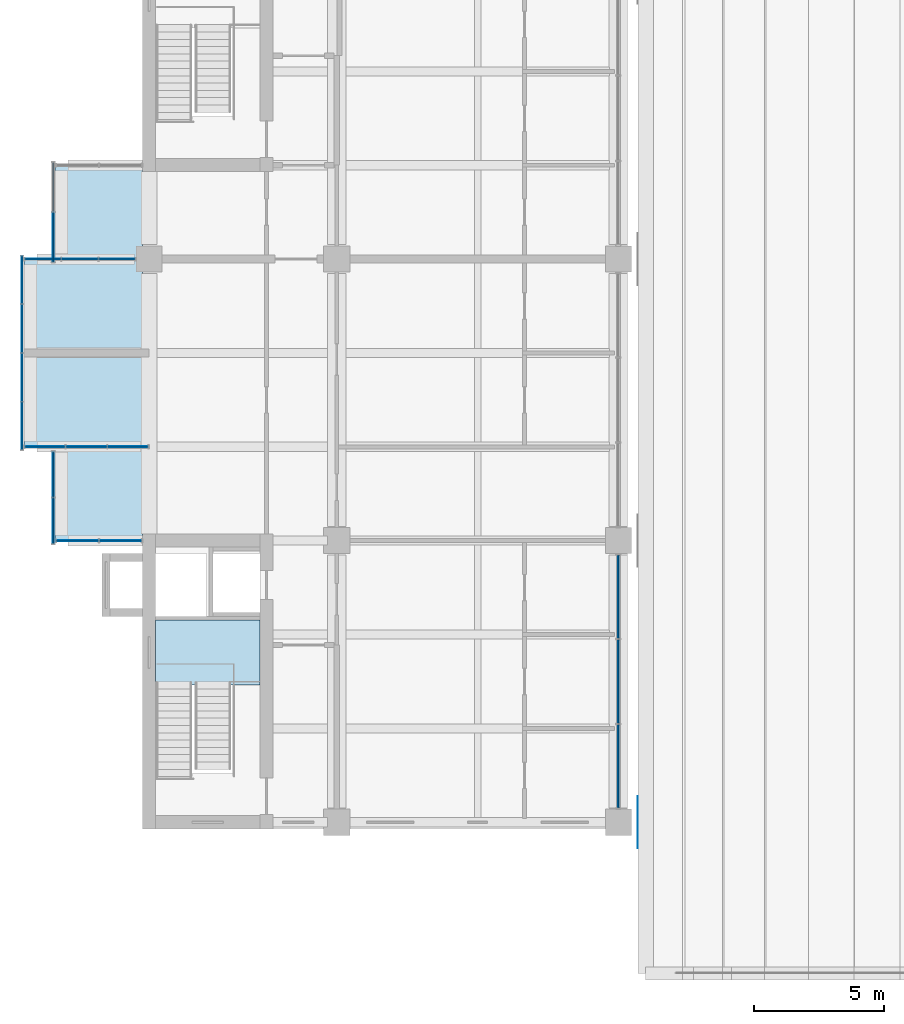
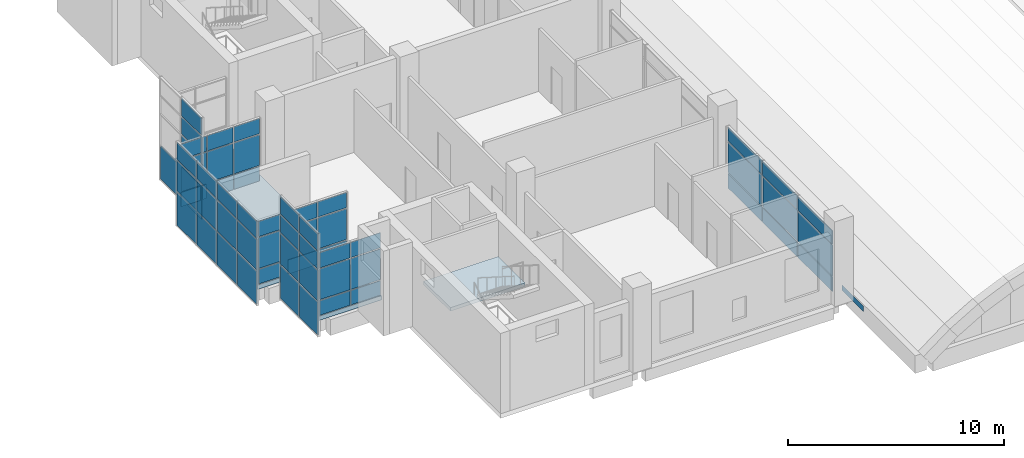
# One storey, part 24 of 45: 59 plates, 2 slabs, 8 elements without a shape of their own.
"""IFC4 building model written with IfcOpenShell, lengths in metres."""

from ifc_helpers import new_model, si_unit, direction, frame, origin, origin_2d, place, context, subcontext, project, spatial, polyline, rectangle, outline, extrude, material, layer, layer_set, type_object, element, aggregate, save


model = new_model("IFC4")

# Units and contexts
model_context = context("Model", 3, precision=1e-05, world=origin(), true_north=direction((0.0, 1.0)))
body_context = subcontext(model_context, "Body", "Model", "MODEL_VIEW")
ifc_project = project(units=[si_unit("LENGTHUNIT", "METRE"), si_unit("AREAUNIT", "SQUARE_METRE"), si_unit("VOLUMEUNIT", "CUBIC_METRE"), si_unit("PLANEANGLEUNIT", "RADIAN"), si_unit("MASSUNIT", "GRAM", prefix="KILO")], contexts=[model_context])

# Site, building, storey
site_placement = place(None, origin())
site = spatial("IfcSite", under=ifc_project, at=site_placement, CompositionType="ELEMENT")
building_placement = place(site_placement, origin())
building = spatial("IfcBuilding", under=site, at=building_placement, Name="Basin Gate Institute", CompositionType="ELEMENT")
storey_placement = place(building_placement, frame((0.0, 0.0, 22.199951171875)))
storey = spatial("IfcBuildingStorey", under=building, at=storey_placement, Name="L04", CompositionType="ELEMENT", Elevation=22.199951171875)

# Plate
ifc_material_1 = material(Name="Stainless steel", Category="steel")
ifc_layer_1 = layer(ifc_material_1, 0.0029296875)
ifc_layer_set_1 = layer_set([ifc_layer_1], Name="Stainless steel")
plate_type_1 = type_object("IfcPlateType", Name="Shell joint cover JC1", PredefinedType="SHEET", material=ifc_layer_set_1)
plate_1_placement = place(storey_placement, frame((79.948486328125, 35.10009765625, -0.39990234375), z_axis=(0.0, 0.0, 1.0), x_axis=(1.0, 0.0, 0.0)))
element("IfcPlate", 1, at=plate_1_placement, inside=storey, type_object=plate_type_1, material=ifc_layer_set_1, Name="Atrium shell joint cover 1W", PredefinedType="SHEET", context=body_context, shape_type="SweptSolid", body=[
    extrude(rectangle(XDim=0.0029296875, YDim=2.0, at=origin_2d()), origin(), (0.0, 0.0, 1.0), 0.300048828125),
])

# Slab
ifc_material_2 = material(Name="Concrete 40 MPa", Category="concrete")
ifc_layer_2 = layer(ifc_material_2, 0.25)
ifc_layer_set_2 = layer_set([ifc_layer_2], Name="Concrete 40 MPa")
slab_type_1 = type_object("IfcSlabType", Name="Slab SL4 R120", PredefinedType="FLOOR", material=ifc_layer_set_2)
slab_1_placement = place(storey_placement, frame((0.0, 0.0, -0.25)))
element("IfcSlab", 2, at=slab_1_placement, inside=storey, type_object=slab_type_1, material=ifc_layer_set_2, Name="SLAB/L04/WK11", PredefinedType="FLOOR", context=body_context, shape_type="SweptSolid", body=[
    extrude(outline(polyline([(57.60009765625, 45.89990234375), (57.60009765625, 49.5), (56.39990234375, 49.5), (56.39990234375, 56.699951171875), (57.60009765625, 56.699951171875), (57.60009765625, 60.300048828125), (60.949951171875, 60.300048828125), (60.949951171875, 45.89990234375), (57.60009765625, 45.89990234375)])), origin(), (0.0, 0.0, 1.0), 0.25),
])

# Curtain wall, plates
ifc_material_3 = material(Name="Aluminium-framed glazing", Category="aluminium")
ifc_layer_3 = layer(ifc_material_3, 0.199951171875)
ifc_layer_set_3 = layer_set([ifc_layer_3], Name="Atrium curtain wall CW2")
curtain_wall_type_1 = type_object("IfcCurtainWallType", Name="Atrium curtain wall CW2", PredefinedType="NOTDEFINED", material=ifc_layer_set_3)
curtain_wall_1_placement = place(storey_placement, origin())
curtain_wall_1 = element("IfcCurtainWall", 3, at=curtain_wall_1_placement, inside=storey, type_object=curtain_wall_type_1, material=ifc_layer_set_3, Name="Atrium curtain wall W wing atrium bay 1 L04", PredefinedType="NOTDEFINED")
ifc_material_4 = material(Name="Aluminium insulated spandrel panel", Category="aluminium")
ifc_layer_4 = layer(ifc_material_4, 0.050048828125)
ifc_layer_set_4 = layer_set([ifc_layer_4], Name="Spandrel panel PN2")
plate_type_2 = type_object("IfcPlateType", Name="Spandrel panel PN2", PredefinedType="CURTAIN_PANEL", material=ifc_layer_set_4)
plate_2_placement = place(storey_placement, frame((79.199951171875, 37.248291015625, 0.06005859375), z_axis=(0.0, 0.0, 1.0), x_axis=(0.0, 1.0, 0.0)))
plate_2 = element("IfcPlate", 4, at=plate_2_placement, type_object=plate_type_2, material=ifc_layer_set_4, Name="CW2 spandrel panel 1.1", PredefinedType="CURTAIN_PANEL", context=body_context, shape_type="SweptSolid", body=[
    extrude(rectangle(XDim=3.1767578125, YDim=0.050048828125, at=origin_2d()), origin(), (0.0, 0.0, 1.0), 0.81005859375),
])
plate_3_placement = place(storey_placement, frame((79.199951171875, 37.248291015625, 2.72998046875), z_axis=(0.0, 0.0, 1.0), x_axis=(0.0, 1.0, 0.0)))
plate_3 = element("IfcPlate", 5, at=plate_3_placement, type_object=plate_type_2, material=ifc_layer_set_4, Name="CW2 spandrel panel 1.3", PredefinedType="CURTAIN_PANEL", context=body_context, shape_type="SweptSolid", body=[
    extrude(rectangle(XDim=3.1767578125, YDim=0.050048828125, at=origin_2d()), origin(), (0.0, 0.0, 1.0), 0.760009765625),
])
plate_4_placement = place(storey_placement, frame((79.199951171875, 40.5, 0.06005859375), z_axis=(0.0, 0.0, 1.0), x_axis=(0.0, 1.0, 0.0)))
plate_4 = element("IfcPlate", 6, at=plate_4_placement, type_object=plate_type_2, material=ifc_layer_set_4, Name="CW2 spandrel panel 2.1", PredefinedType="CURTAIN_PANEL", context=body_context, shape_type="SweptSolid", body=[
    extrude(rectangle(XDim=3.206787109375, YDim=0.050048828125, at=origin_2d()), origin(), (0.0, 0.0, 1.0), 0.81005859375),
])
plate_5_placement = place(storey_placement, frame((79.199951171875, 40.5, 2.72998046875), z_axis=(0.0, 0.0, 1.0), x_axis=(0.0, 1.0, 0.0)))
plate_5 = element("IfcPlate", 7, at=plate_5_placement, type_object=plate_type_2, material=ifc_layer_set_4, Name="CW2 spandrel panel 2.3", PredefinedType="CURTAIN_PANEL", context=body_context, shape_type="SweptSolid", body=[
    extrude(rectangle(XDim=3.206787109375, YDim=0.050048828125, at=origin_2d()), origin(), (0.0, 0.0, 1.0), 0.760009765625),
])
plate_6_placement = place(storey_placement, frame((79.199951171875, 43.751708984375, 0.06005859375), z_axis=(0.0, 0.0, 1.0), x_axis=(0.0, 1.0, 0.0)))
plate_6 = element("IfcPlate", 8, at=plate_6_placement, type_object=plate_type_2, material=ifc_layer_set_4, Name="CW2 spandrel panel 3.1", PredefinedType="CURTAIN_PANEL", context=body_context, shape_type="SweptSolid", body=[
    extrude(rectangle(XDim=3.1767578125, YDim=0.050048828125, at=origin_2d()), origin(), (0.0, 0.0, 1.0), 0.81005859375),
])
plate_7_placement = place(storey_placement, frame((79.199951171875, 43.751708984375, 2.72998046875), z_axis=(0.0, 0.0, 1.0), x_axis=(0.0, 1.0, 0.0)))
plate_7 = element("IfcPlate", 9, at=plate_7_placement, type_object=plate_type_2, material=ifc_layer_set_4, Name="CW2 spandrel panel 3.3", PredefinedType="CURTAIN_PANEL", context=body_context, shape_type="SweptSolid", body=[
    extrude(rectangle(XDim=3.1767578125, YDim=0.050048828125, at=origin_2d()), origin(), (0.0, 0.0, 1.0), 0.760009765625),
])

ifc_material_5 = material(Name="Aluminium-framed glazing", Category="aluminium")
ifc_layer_5 = layer(ifc_material_5, 0.14990234375)
ifc_layer_set_5 = layer_set([ifc_layer_5], Name="Capsule front curtain wall CW1")
curtain_wall_type_2 = type_object("IfcCurtainWallType", Name="Capsule front curtain wall CW1", PredefinedType="NOTDEFINED", material=ifc_layer_set_5)
curtain_wall_2_placement = place(storey_placement, origin())
curtain_wall_2 = element("IfcCurtainWall", 10, at=curtain_wall_2_placement, inside=storey, type_object=curtain_wall_type_2, material=ifc_layer_set_5, Name="Capsule front curtain wall W wing capsule end L04 line 4", PredefinedType="NOTDEFINED")
plate_8_placement = place(storey_placement, frame((58.449951171875, 45.89990234375, 0.06005859375), z_axis=(0.0, 0.0, 1.0), x_axis=(1.0, 0.0, 0.0)))
plate_8 = element("IfcPlate", 11, at=plate_8_placement, type_object=plate_type_2, material=ifc_layer_set_4, Name="CW1 spandrel panel 1.1", PredefinedType="CURTAIN_PANEL", context=body_context, shape_type="SweptSolid", body=[
    extrude(rectangle(XDim=1.60009765625, YDim=0.050048828125, at=origin_2d()), origin(), (0.0, 0.0, 1.0), 0.81005859375),
])
plate_9_placement = place(storey_placement, frame((60.10009765625, 45.89990234375, 0.06005859375), z_axis=(0.0, 0.0, 1.0), x_axis=(1.0, 0.0, 0.0)))
plate_9 = element("IfcPlate", 12, at=plate_9_placement, type_object=plate_type_2, material=ifc_layer_set_4, Name="CW1 spandrel panel 2.1", PredefinedType="CURTAIN_PANEL", context=body_context, shape_type="SweptSolid", body=[
    extrude(rectangle(XDim=1.60009765625, YDim=0.050048828125, at=origin_2d()), origin(), (0.0, 0.0, 1.0), 0.81005859375),
])

curtain_wall_3_placement = place(storey_placement, origin())
curtain_wall_3 = element("IfcCurtainWall", 13, at=curtain_wall_3_placement, inside=storey, type_object=curtain_wall_type_2, material=ifc_layer_set_5, Name="Capsule front curtain wall W wing capsule end L04 line 5", PredefinedType="NOTDEFINED")
plate_10_placement = place(storey_placement, frame((57.21240234375, 49.5, 0.06005859375), z_axis=(0.0, 0.0, 1.0), x_axis=(1.0, 0.0, 0.0)))
plate_10 = element("IfcPlate", 14, at=plate_10_placement, type_object=plate_type_2, material=ifc_layer_set_4, Name="CW1 spandrel panel 1.1", PredefinedType="CURTAIN_PANEL", context=body_context, shape_type="SweptSolid", body=[
    extrude(rectangle(XDim=1.52490234375, YDim=0.050048828125, at=origin_2d()), origin(), (0.0, 0.0, 1.0), 0.81005859375),
])
plate_11_placement = place(storey_placement, frame((58.800048828125, 49.5, 0.06005859375), z_axis=(0.0, 0.0, 1.0), x_axis=(1.0, 0.0, 0.0)))
plate_11 = element("IfcPlate", 15, at=plate_11_placement, type_object=plate_type_2, material=ifc_layer_set_4, Name="CW1 spandrel panel 2.1", PredefinedType="CURTAIN_PANEL", context=body_context, shape_type="SweptSolid", body=[
    extrude(rectangle(XDim=1.550048828125, YDim=0.050048828125, at=origin_2d()), origin(), (0.0, 0.0, 1.0), 0.81005859375),
])
plate_12_placement = place(storey_placement, frame((60.387451171875, 49.5, 0.06005859375), z_axis=(0.0, 0.0, 1.0), x_axis=(1.0, 0.0, 0.0)))
plate_12 = element("IfcPlate", 16, at=plate_12_placement, type_object=plate_type_2, material=ifc_layer_set_4, Name="CW1 spandrel panel 3.1", PredefinedType="CURTAIN_PANEL", context=body_context, shape_type="SweptSolid", body=[
    extrude(rectangle(XDim=1.52490234375, YDim=0.050048828125, at=origin_2d()), origin(), (0.0, 0.0, 1.0), 0.81005859375),
])

curtain_wall_4_placement = place(storey_placement, origin())
curtain_wall_4 = element("IfcCurtainWall", 17, at=curtain_wall_4_placement, inside=storey, type_object=curtain_wall_type_2, material=ifc_layer_set_5, Name="Capsule front curtain wall W wing capsule end L04 line 7", PredefinedType="NOTDEFINED")
plate_13_placement = place(storey_placement, frame((57.129150390625, 56.699951171875, 0.06005859375), z_axis=(0.0, 0.0, 1.0), x_axis=(1.0, 0.0, 0.0)))
plate_13 = element("IfcPlate", 18, at=plate_13_placement, type_object=plate_type_2, material=ifc_layer_set_4, Name="CW1 spandrel panel 1.1", PredefinedType="CURTAIN_PANEL", context=body_context, shape_type="SweptSolid", body=[
    extrude(rectangle(XDim=1.3583984375, YDim=0.050048828125, at=origin_2d()), origin(), (0.0, 0.0, 1.0), 0.81005859375),
])
plate_14_placement = place(storey_placement, frame((58.550048828125, 56.699951171875, 0.06005859375), z_axis=(0.0, 0.0, 1.0), x_axis=(1.0, 0.0, 0.0)))
plate_14 = element("IfcPlate", 19, at=plate_14_placement, type_object=plate_type_2, material=ifc_layer_set_4, Name="CW1 spandrel panel 2.1", PredefinedType="CURTAIN_PANEL", context=body_context, shape_type="SweptSolid", body=[
    extrude(rectangle(XDim=1.38330078125, YDim=0.050048828125, at=origin_2d()), origin(), (0.0, 0.0, 1.0), 0.81005859375),
])
plate_15_placement = place(storey_placement, frame((59.970947265625, 56.699951171875, 0.06005859375), z_axis=(0.0, 0.0, 1.0), x_axis=(1.0, 0.0, 0.0)))
plate_15 = element("IfcPlate", 20, at=plate_15_placement, type_object=plate_type_2, material=ifc_layer_set_4, Name="CW1 spandrel panel 3.1", PredefinedType="CURTAIN_PANEL", context=body_context, shape_type="SweptSolid", body=[
    extrude(rectangle(XDim=1.3583984375, YDim=0.050048828125, at=origin_2d()), origin(), (0.0, 0.0, 1.0), 0.81005859375),
])

curtain_wall_5_placement = place(storey_placement, origin())
curtain_wall_5 = element("IfcCurtainWall", 21, at=curtain_wall_5_placement, inside=storey, type_object=curtain_wall_type_2, material=ifc_layer_set_5, Name="Capsule front curtain wall W wing capsule 1 L04 front 1", PredefinedType="NOTDEFINED")
plate_16_placement = place(storey_placement, frame((57.52490234375, 46.66259765625, -0.990234375), z_axis=(0.0, 0.0, 1.0), x_axis=(0.0, 1.0, 0.0)))
plate_16 = element("IfcPlate", 22, at=plate_16_placement, type_object=plate_type_2, material=ifc_layer_set_4, Name="CW1 spandrel panel 1.1", PredefinedType="CURTAIN_PANEL", context=body_context, shape_type="SweptSolid", body=[
    extrude(rectangle(XDim=1.72509765625, YDim=0.050048828125, at=origin_2d()), origin(), (0.0, 0.0, 1.0), 1.860107421875),
])
plate_17_placement = place(storey_placement, frame((57.52490234375, 46.66259765625, 3.780029296875), z_axis=(0.0, 0.0, 1.0), x_axis=(0.0, 1.0, 0.0)))
plate_17 = element("IfcPlate", 23, at=plate_17_placement, type_object=plate_type_2, material=ifc_layer_set_4, Name="CW1 spandrel panel 1.4", PredefinedType="CURTAIN_PANEL", context=body_context, shape_type="SweptSolid", body=[
    extrude(rectangle(XDim=1.72509765625, YDim=0.050048828125, at=origin_2d()), origin(), (0.0, 0.0, 1.0), 0.9599609375),
])
plate_18_placement = place(storey_placement, frame((57.52490234375, 48.4375, -0.990234375), z_axis=(0.0, 0.0, 1.0), x_axis=(0.0, 1.0, 0.0)))
plate_18 = element("IfcPlate", 24, at=plate_18_placement, type_object=plate_type_2, material=ifc_layer_set_4, Name="CW1 spandrel panel 2.1", PredefinedType="CURTAIN_PANEL", context=body_context, shape_type="SweptSolid", body=[
    extrude(rectangle(XDim=1.72509765625, YDim=0.050048828125, at=origin_2d()), origin(), (0.0, 0.0, 1.0), 1.860107421875),
])
plate_19_placement = place(storey_placement, frame((57.52490234375, 48.4375, 3.780029296875), z_axis=(0.0, 0.0, 1.0), x_axis=(0.0, 1.0, 0.0)))
plate_19 = element("IfcPlate", 25, at=plate_19_placement, type_object=plate_type_2, material=ifc_layer_set_4, Name="CW1 spandrel panel 2.4", PredefinedType="CURTAIN_PANEL", context=body_context, shape_type="SweptSolid", body=[
    extrude(rectangle(XDim=1.72509765625, YDim=0.050048828125, at=origin_2d()), origin(), (0.0, 0.0, 1.0), 0.9599609375),
])

curtain_wall_6_placement = place(storey_placement, origin())
curtain_wall_6 = element("IfcCurtainWall", 26, at=curtain_wall_6_placement, inside=storey, type_object=curtain_wall_type_2, material=ifc_layer_set_5, Name="Capsule front curtain wall W wing capsule 1 L04 front 2", PredefinedType="NOTDEFINED")
plate_20_placement = place(storey_placement, frame((56.324951171875, 50.300048828125, -0.990234375), z_axis=(0.0, 0.0, 1.0), x_axis=(0.0, 1.0, 0.0)))
plate_20 = element("IfcPlate", 27, at=plate_20_placement, type_object=plate_type_2, material=ifc_layer_set_4, Name="CW1 spandrel panel 1.1", PredefinedType="CURTAIN_PANEL", context=body_context, shape_type="SweptSolid", body=[
    extrude(rectangle(XDim=1.800048828125, YDim=0.050048828125, at=origin_2d()), origin(), (0.0, 0.0, 1.0), 1.860107421875),
])
plate_21_placement = place(storey_placement, frame((56.324951171875, 52.16259765625, -0.990234375), z_axis=(0.0, 0.0, 1.0), x_axis=(0.0, 1.0, 0.0)))
plate_21 = element("IfcPlate", 28, at=plate_21_placement, type_object=plate_type_2, material=ifc_layer_set_4, Name="CW1 spandrel panel 2.1", PredefinedType="CURTAIN_PANEL", context=body_context, shape_type="SweptSolid", body=[
    extrude(rectangle(XDim=1.824951171875, YDim=0.050048828125, at=origin_2d()), origin(), (0.0, 0.0, 1.0), 1.860107421875),
])
plate_22_placement = place(storey_placement, frame((56.324951171875, 54.03759765625, -0.990234375), z_axis=(0.0, 0.0, 1.0), x_axis=(0.0, 1.0, 0.0)))
plate_22 = element("IfcPlate", 29, at=plate_22_placement, type_object=plate_type_2, material=ifc_layer_set_4, Name="CW1 spandrel panel 3.1", PredefinedType="CURTAIN_PANEL", context=body_context, shape_type="SweptSolid", body=[
    extrude(rectangle(XDim=1.824951171875, YDim=0.050048828125, at=origin_2d()), origin(), (0.0, 0.0, 1.0), 1.860107421875),
])
plate_23_placement = place(storey_placement, frame((56.324951171875, 55.89990234375, -0.990234375), z_axis=(0.0, 0.0, 1.0), x_axis=(0.0, 1.0, 0.0)))
plate_23 = element("IfcPlate", 30, at=plate_23_placement, type_object=plate_type_2, material=ifc_layer_set_4, Name="CW1 spandrel panel 4.1", PredefinedType="CURTAIN_PANEL", context=body_context, shape_type="SweptSolid", body=[
    extrude(rectangle(XDim=1.800048828125, YDim=0.050048828125, at=origin_2d()), origin(), (0.0, 0.0, 1.0), 1.860107421875),
])

curtain_wall_7_placement = place(storey_placement, origin())
curtain_wall_7 = element("IfcCurtainWall", 31, at=curtain_wall_7_placement, inside=storey, type_object=curtain_wall_type_2, material=ifc_layer_set_5, Name="Capsule front curtain wall W wing capsule 1 L04 front 4", PredefinedType="NOTDEFINED")
plate_24_placement = place(storey_placement, frame((57.52490234375, 57.53759765625, -0.990234375), z_axis=(0.0, 0.0, 1.0), x_axis=(0.0, 1.0, 0.0)))
plate_24 = element("IfcPlate", 32, at=plate_24_placement, type_object=plate_type_2, material=ifc_layer_set_4, Name="CW1 spandrel panel 1.1", PredefinedType="CURTAIN_PANEL", context=body_context, shape_type="SweptSolid", body=[
    extrude(rectangle(XDim=1.875, YDim=0.050048828125, at=origin_2d()), origin(), (0.0, 0.0, 1.0), 1.860107421875),
])
plate_25_placement = place(storey_placement, frame((57.52490234375, 57.53759765625, 3.780029296875), z_axis=(0.0, 0.0, 1.0), x_axis=(0.0, 1.0, 0.0)))
plate_25 = element("IfcPlate", 33, at=plate_25_placement, type_object=plate_type_2, material=ifc_layer_set_4, Name="CW1 spandrel panel 1.4", PredefinedType="CURTAIN_PANEL", context=body_context, shape_type="SweptSolid", body=[
    extrude(rectangle(XDim=1.875, YDim=0.050048828125, at=origin_2d()), origin(), (0.0, 0.0, 1.0), 0.9599609375),
])
plate_26_placement = place(storey_placement, frame((57.52490234375, 59.46240234375, -0.990234375), z_axis=(0.0, 0.0, 1.0), x_axis=(0.0, 1.0, 0.0)))
plate_26 = element("IfcPlate", 34, at=plate_26_placement, type_object=plate_type_2, material=ifc_layer_set_4, Name="CW1 spandrel panel 2.1", PredefinedType="CURTAIN_PANEL", context=body_context, shape_type="SweptSolid", body=[
    extrude(rectangle(XDim=1.875, YDim=0.050048828125, at=origin_2d()), origin(), (0.0, 0.0, 1.0), 1.860107421875),
])

# Stair, slab
ifc_material_6 = material(Name="Concrete 40 MPa", Category="concrete")
stair_type = type_object("IfcStairType", Name="Stair ST", PredefinedType="HALF_TURN_STAIR", material=ifc_material_6)
stair_placement = place(storey_placement, origin())
stair = element("IfcStair", 35, at=stair_placement, inside=storey, type_object=stair_type, material=ifc_material_6, Name="Special safe stair ST-WS L04", PredefinedType="HALF_TURN_STAIR")
ifc_material_7 = material(Name="Concrete 40 MPa", Category="concrete")
ifc_layer_6 = layer(ifc_material_7, 0.199951171875)
ifc_layer_set_6 = layer_set([ifc_layer_6], Name="Concrete 40 MPa")
slab_type_2 = type_object("IfcSlabType", Name="Stair landing LN REI 120", PredefinedType="LANDING", material=ifc_layer_set_6)
slab_2_placement = place(storey_placement, frame((0.0, 0.0, 2.288818359375)))
slab_2 = element("IfcSlab", 36, at=slab_2_placement, type_object=slab_type_2, material=ifc_layer_set_6, Name="Stair landing ST-WS-L1 L04", PredefinedType="LANDING", context=body_context, shape_type="SweptSolid", body=[
    extrude(outline(polyline([(61.449951171875, 40.3701171875), (65.449951171875, 40.3701171875), (65.449951171875, 42.85009765625), (61.449951171875, 42.85009765625), (61.449951171875, 40.3701171875)])), origin(), (0.0, 0.0, 1.0), 0.2001953125),
])
aggregate(stair, [slab_2])

# Plate
ifc_material_8 = material(Name="Double glazed unit")
ifc_layer_7 = layer(ifc_material_8, 0.028076171875)
ifc_layer_set_7 = layer_set([ifc_layer_7], Name="Vision panel PN1")
plate_type_3 = type_object("IfcPlateType", Name="Vision panel PN1", PredefinedType="CURTAIN_PANEL", material=ifc_layer_set_7)
plate_27_placement = place(storey_placement, frame((79.199951171875, 37.248291015625, 0.93017578125), z_axis=(0.0, 0.0, 1.0), x_axis=(0.0, 1.0, 0.0)))
plate_27 = element("IfcPlate", 37, at=plate_27_placement, type_object=plate_type_3, material=ifc_layer_set_7, Name="CW2 vision panel 1.2", PredefinedType="CURTAIN_PANEL", context=body_context, shape_type="SweptSolid", body=[
    extrude(rectangle(XDim=3.1767578125, YDim=0.028076171875, at=origin_2d()), origin(), (0.0, 0.0, 1.0), 1.739990234375),
])

plate_28_placement = place(storey_placement, frame((79.199951171875, 40.5, 0.93017578125), z_axis=(0.0, 0.0, 1.0), x_axis=(0.0, 1.0, 0.0)))
plate_28 = element("IfcPlate", 38, at=plate_28_placement, type_object=plate_type_3, material=ifc_layer_set_7, Name="CW2 vision panel 2.2", PredefinedType="CURTAIN_PANEL", context=body_context, shape_type="SweptSolid", body=[
    extrude(rectangle(XDim=3.206787109375, YDim=0.028076171875, at=origin_2d()), origin(), (0.0, 0.0, 1.0), 1.739990234375),
])

plate_29_placement = place(storey_placement, frame((79.199951171875, 43.751708984375, 0.93017578125), z_axis=(0.0, 0.0, 1.0), x_axis=(0.0, 1.0, 0.0)))
plate_29 = element("IfcPlate", 39, at=plate_29_placement, type_object=plate_type_3, material=ifc_layer_set_7, Name="CW2 vision panel 3.2", PredefinedType="CURTAIN_PANEL", context=body_context, shape_type="SweptSolid", body=[
    extrude(rectangle(XDim=3.1767578125, YDim=0.028076171875, at=origin_2d()), origin(), (0.0, 0.0, 1.0), 1.739990234375),
])

aggregate(curtain_wall_1, [plate_2, plate_27, plate_3, plate_4, plate_28, plate_5, plate_6, plate_29, plate_7])

plate_30_placement = place(storey_placement, frame((58.449951171875, 45.89990234375, 0.93017578125), z_axis=(0.0, 0.0, 1.0), x_axis=(1.0, 0.0, 0.0)))
plate_30 = element("IfcPlate", 40, at=plate_30_placement, type_object=plate_type_3, material=ifc_layer_set_7, Name="CW1 vision panel 1.2", PredefinedType="CURTAIN_PANEL", context=body_context, shape_type="SweptSolid", body=[
    extrude(rectangle(XDim=1.60009765625, YDim=0.028076171875, at=origin_2d()), origin(), (0.0, 0.0, 1.0), 1.739990234375),
])

plate_31_placement = place(storey_placement, frame((58.449951171875, 45.89990234375, 2.72998046875), z_axis=(0.0, 0.0, 1.0), x_axis=(1.0, 0.0, 0.0)))
plate_31 = element("IfcPlate", 41, at=plate_31_placement, type_object=plate_type_3, material=ifc_layer_set_7, Name="CW1 vision panel 1.3", PredefinedType="CURTAIN_PANEL", context=body_context, shape_type="SweptSolid", body=[
    extrude(rectangle(XDim=1.60009765625, YDim=0.028076171875, at=origin_2d()), origin(), (0.0, 0.0, 1.0), 0.860107421875),
])

plate_32_placement = place(storey_placement, frame((60.10009765625, 45.89990234375, 0.93017578125), z_axis=(0.0, 0.0, 1.0), x_axis=(1.0, 0.0, 0.0)))
plate_32 = element("IfcPlate", 42, at=plate_32_placement, type_object=plate_type_3, material=ifc_layer_set_7, Name="CW1 vision panel 2.2", PredefinedType="CURTAIN_PANEL", context=body_context, shape_type="SweptSolid", body=[
    extrude(rectangle(XDim=1.60009765625, YDim=0.028076171875, at=origin_2d()), origin(), (0.0, 0.0, 1.0), 1.739990234375),
])

plate_33_placement = place(storey_placement, frame((60.10009765625, 45.89990234375, 2.72998046875), z_axis=(0.0, 0.0, 1.0), x_axis=(1.0, 0.0, 0.0)))
plate_33 = element("IfcPlate", 43, at=plate_33_placement, type_object=plate_type_3, material=ifc_layer_set_7, Name="CW1 vision panel 2.3", PredefinedType="CURTAIN_PANEL", context=body_context, shape_type="SweptSolid", body=[
    extrude(rectangle(XDim=1.60009765625, YDim=0.028076171875, at=origin_2d()), origin(), (0.0, 0.0, 1.0), 0.860107421875),
])

aggregate(curtain_wall_2, [plate_8, plate_30, plate_31, plate_9, plate_32, plate_33])

plate_34_placement = place(storey_placement, frame((57.21240234375, 49.5, 0.93017578125), z_axis=(0.0, 0.0, 1.0), x_axis=(1.0, 0.0, 0.0)))
plate_34 = element("IfcPlate", 44, at=plate_34_placement, type_object=plate_type_3, material=ifc_layer_set_7, Name="CW1 vision panel 1.2", PredefinedType="CURTAIN_PANEL", context=body_context, shape_type="SweptSolid", body=[
    extrude(rectangle(XDim=1.52490234375, YDim=0.028076171875, at=origin_2d()), origin(), (0.0, 0.0, 1.0), 1.739990234375),
])

plate_35_placement = place(storey_placement, frame((57.21240234375, 49.5, 2.72998046875), z_axis=(0.0, 0.0, 1.0), x_axis=(1.0, 0.0, 0.0)))
plate_35 = element("IfcPlate", 45, at=plate_35_placement, type_object=plate_type_3, material=ifc_layer_set_7, Name="CW1 vision panel 1.3", PredefinedType="CURTAIN_PANEL", context=body_context, shape_type="SweptSolid", body=[
    extrude(rectangle(XDim=1.52490234375, YDim=0.028076171875, at=origin_2d()), origin(), (0.0, 0.0, 1.0), 0.860107421875),
])

plate_36_placement = place(storey_placement, frame((58.800048828125, 49.5, 0.93017578125), z_axis=(0.0, 0.0, 1.0), x_axis=(1.0, 0.0, 0.0)))
plate_36 = element("IfcPlate", 46, at=plate_36_placement, type_object=plate_type_3, material=ifc_layer_set_7, Name="CW1 vision panel 2.2", PredefinedType="CURTAIN_PANEL", context=body_context, shape_type="SweptSolid", body=[
    extrude(rectangle(XDim=1.550048828125, YDim=0.028076171875, at=origin_2d()), origin(), (0.0, 0.0, 1.0), 1.739990234375),
])

plate_37_placement = place(storey_placement, frame((58.800048828125, 49.5, 2.72998046875), z_axis=(0.0, 0.0, 1.0), x_axis=(1.0, 0.0, 0.0)))
plate_37 = element("IfcPlate", 47, at=plate_37_placement, type_object=plate_type_3, material=ifc_layer_set_7, Name="CW1 vision panel 2.3", PredefinedType="CURTAIN_PANEL", context=body_context, shape_type="SweptSolid", body=[
    extrude(rectangle(XDim=1.550048828125, YDim=0.028076171875, at=origin_2d()), origin(), (0.0, 0.0, 1.0), 0.860107421875),
])

plate_38_placement = place(storey_placement, frame((60.387451171875, 49.5, 0.93017578125), z_axis=(0.0, 0.0, 1.0), x_axis=(1.0, 0.0, 0.0)))
plate_38 = element("IfcPlate", 48, at=plate_38_placement, type_object=plate_type_3, material=ifc_layer_set_7, Name="CW1 vision panel 3.2", PredefinedType="CURTAIN_PANEL", context=body_context, shape_type="SweptSolid", body=[
    extrude(rectangle(XDim=1.52490234375, YDim=0.028076171875, at=origin_2d()), origin(), (0.0, 0.0, 1.0), 1.739990234375),
])

plate_39_placement = place(storey_placement, frame((60.387451171875, 49.5, 2.72998046875), z_axis=(0.0, 0.0, 1.0), x_axis=(1.0, 0.0, 0.0)))
plate_39 = element("IfcPlate", 49, at=plate_39_placement, type_object=plate_type_3, material=ifc_layer_set_7, Name="CW1 vision panel 3.3", PredefinedType="CURTAIN_PANEL", context=body_context, shape_type="SweptSolid", body=[
    extrude(rectangle(XDim=1.52490234375, YDim=0.028076171875, at=origin_2d()), origin(), (0.0, 0.0, 1.0), 0.860107421875),
])

aggregate(curtain_wall_3, [plate_10, plate_34, plate_35, plate_11, plate_36, plate_37, plate_12, plate_38, plate_39])

plate_40_placement = place(storey_placement, frame((57.129150390625, 56.699951171875, 0.93017578125), z_axis=(0.0, 0.0, 1.0), x_axis=(1.0, 0.0, 0.0)))
plate_40 = element("IfcPlate", 50, at=plate_40_placement, type_object=plate_type_3, material=ifc_layer_set_7, Name="CW1 vision panel 1.2", PredefinedType="CURTAIN_PANEL", context=body_context, shape_type="SweptSolid", body=[
    extrude(rectangle(XDim=1.3583984375, YDim=0.028076171875, at=origin_2d()), origin(), (0.0, 0.0, 1.0), 1.739990234375),
])

plate_41_placement = place(storey_placement, frame((57.129150390625, 56.699951171875, 2.72998046875), z_axis=(0.0, 0.0, 1.0), x_axis=(1.0, 0.0, 0.0)))
plate_41 = element("IfcPlate", 51, at=plate_41_placement, type_object=plate_type_3, material=ifc_layer_set_7, Name="CW1 vision panel 1.3", PredefinedType="CURTAIN_PANEL", context=body_context, shape_type="SweptSolid", body=[
    extrude(rectangle(XDim=1.3583984375, YDim=0.028076171875, at=origin_2d()), origin(), (0.0, 0.0, 1.0), 0.860107421875),
])

plate_42_placement = place(storey_placement, frame((58.550048828125, 56.699951171875, 0.93017578125), z_axis=(0.0, 0.0, 1.0), x_axis=(1.0, 0.0, 0.0)))
plate_42 = element("IfcPlate", 52, at=plate_42_placement, type_object=plate_type_3, material=ifc_layer_set_7, Name="CW1 vision panel 2.2", PredefinedType="CURTAIN_PANEL", context=body_context, shape_type="SweptSolid", body=[
    extrude(rectangle(XDim=1.38330078125, YDim=0.028076171875, at=origin_2d()), origin(), (0.0, 0.0, 1.0), 1.739990234375),
])

plate_43_placement = place(storey_placement, frame((58.550048828125, 56.699951171875, 2.72998046875), z_axis=(0.0, 0.0, 1.0), x_axis=(1.0, 0.0, 0.0)))
plate_43 = element("IfcPlate", 53, at=plate_43_placement, type_object=plate_type_3, material=ifc_layer_set_7, Name="CW1 vision panel 2.3", PredefinedType="CURTAIN_PANEL", context=body_context, shape_type="SweptSolid", body=[
    extrude(rectangle(XDim=1.38330078125, YDim=0.028076171875, at=origin_2d()), origin(), (0.0, 0.0, 1.0), 0.860107421875),
])

plate_44_placement = place(storey_placement, frame((59.970947265625, 56.699951171875, 0.93017578125), z_axis=(0.0, 0.0, 1.0), x_axis=(1.0, 0.0, 0.0)))
plate_44 = element("IfcPlate", 54, at=plate_44_placement, type_object=plate_type_3, material=ifc_layer_set_7, Name="CW1 vision panel 3.2", PredefinedType="CURTAIN_PANEL", context=body_context, shape_type="SweptSolid", body=[
    extrude(rectangle(XDim=1.3583984375, YDim=0.028076171875, at=origin_2d()), origin(), (0.0, 0.0, 1.0), 1.739990234375),
])

plate_45_placement = place(storey_placement, frame((59.970947265625, 56.699951171875, 2.72998046875), z_axis=(0.0, 0.0, 1.0), x_axis=(1.0, 0.0, 0.0)))
plate_45 = element("IfcPlate", 55, at=plate_45_placement, type_object=plate_type_3, material=ifc_layer_set_7, Name="CW1 vision panel 3.3", PredefinedType="CURTAIN_PANEL", context=body_context, shape_type="SweptSolid", body=[
    extrude(rectangle(XDim=1.3583984375, YDim=0.028076171875, at=origin_2d()), origin(), (0.0, 0.0, 1.0), 0.860107421875),
])

aggregate(curtain_wall_4, [plate_13, plate_40, plate_41, plate_14, plate_42, plate_43, plate_15, plate_44, plate_45])

plate_46_placement = place(storey_placement, frame((57.52490234375, 46.66259765625, 0.93017578125), z_axis=(0.0, 0.0, 1.0), x_axis=(0.0, 1.0, 0.0)))
plate_46 = element("IfcPlate", 56, at=plate_46_placement, type_object=plate_type_3, material=ifc_layer_set_7, Name="CW1 vision panel 1.2", PredefinedType="CURTAIN_PANEL", context=body_context, shape_type="SweptSolid", body=[
    extrude(rectangle(XDim=1.72509765625, YDim=0.028076171875, at=origin_2d()), origin(), (0.0, 0.0, 1.0), 1.739990234375),
])

plate_47_placement = place(storey_placement, frame((57.52490234375, 46.66259765625, 2.72998046875), z_axis=(0.0, 0.0, 1.0), x_axis=(0.0, 1.0, 0.0)))
plate_47 = element("IfcPlate", 57, at=plate_47_placement, type_object=plate_type_3, material=ifc_layer_set_7, Name="CW1 vision panel 1.3", PredefinedType="CURTAIN_PANEL", context=body_context, shape_type="SweptSolid", body=[
    extrude(rectangle(XDim=1.72509765625, YDim=0.028076171875, at=origin_2d()), origin(), (0.0, 0.0, 1.0), 0.989990234375),
])

plate_48_placement = place(storey_placement, frame((57.52490234375, 48.4375, 0.93017578125), z_axis=(0.0, 0.0, 1.0), x_axis=(0.0, 1.0, 0.0)))
plate_48 = element("IfcPlate", 58, at=plate_48_placement, type_object=plate_type_3, material=ifc_layer_set_7, Name="CW1 vision panel 2.2", PredefinedType="CURTAIN_PANEL", context=body_context, shape_type="SweptSolid", body=[
    extrude(rectangle(XDim=1.72509765625, YDim=0.028076171875, at=origin_2d()), origin(), (0.0, 0.0, 1.0), 1.739990234375),
])

plate_49_placement = place(storey_placement, frame((57.52490234375, 48.4375, 2.72998046875), z_axis=(0.0, 0.0, 1.0), x_axis=(0.0, 1.0, 0.0)))
plate_49 = element("IfcPlate", 59, at=plate_49_placement, type_object=plate_type_3, material=ifc_layer_set_7, Name="CW1 vision panel 2.3", PredefinedType="CURTAIN_PANEL", context=body_context, shape_type="SweptSolid", body=[
    extrude(rectangle(XDim=1.72509765625, YDim=0.028076171875, at=origin_2d()), origin(), (0.0, 0.0, 1.0), 0.989990234375),
])

aggregate(curtain_wall_5, [plate_16, plate_46, plate_47, plate_17, plate_18, plate_48, plate_49, plate_19])

plate_50_placement = place(storey_placement, frame((56.324951171875, 50.300048828125, 0.93017578125), z_axis=(0.0, 0.0, 1.0), x_axis=(0.0, 1.0, 0.0)))
plate_50 = element("IfcPlate", 60, at=plate_50_placement, type_object=plate_type_3, material=ifc_layer_set_7, Name="CW1 vision panel 1.2", PredefinedType="CURTAIN_PANEL", context=body_context, shape_type="SweptSolid", body=[
    extrude(rectangle(XDim=1.800048828125, YDim=0.028076171875, at=origin_2d()), origin(), (0.0, 0.0, 1.0), 1.739990234375),
])

plate_51_placement = place(storey_placement, frame((56.324951171875, 50.300048828125, 2.72998046875), z_axis=(0.0, 0.0, 1.0), x_axis=(0.0, 1.0, 0.0)))
plate_51 = element("IfcPlate", 61, at=plate_51_placement, type_object=plate_type_3, material=ifc_layer_set_7, Name="CW1 vision panel 1.3", PredefinedType="CURTAIN_PANEL", context=body_context, shape_type="SweptSolid", body=[
    extrude(rectangle(XDim=1.800048828125, YDim=0.028076171875, at=origin_2d()), origin(), (0.0, 0.0, 1.0), 0.9599609375),
])

plate_52_placement = place(storey_placement, frame((56.324951171875, 52.16259765625, 0.93017578125), z_axis=(0.0, 0.0, 1.0), x_axis=(0.0, 1.0, 0.0)))
plate_52 = element("IfcPlate", 62, at=plate_52_placement, type_object=plate_type_3, material=ifc_layer_set_7, Name="CW1 vision panel 2.2", PredefinedType="CURTAIN_PANEL", context=body_context, shape_type="SweptSolid", body=[
    extrude(rectangle(XDim=1.824951171875, YDim=0.028076171875, at=origin_2d()), origin(), (0.0, 0.0, 1.0), 1.739990234375),
])

plate_53_placement = place(storey_placement, frame((56.324951171875, 52.16259765625, 2.72998046875), z_axis=(0.0, 0.0, 1.0), x_axis=(0.0, 1.0, 0.0)))
plate_53 = element("IfcPlate", 63, at=plate_53_placement, type_object=plate_type_3, material=ifc_layer_set_7, Name="CW1 vision panel 2.3", PredefinedType="CURTAIN_PANEL", context=body_context, shape_type="SweptSolid", body=[
    extrude(rectangle(XDim=1.824951171875, YDim=0.028076171875, at=origin_2d()), origin(), (0.0, 0.0, 1.0), 0.9599609375),
])

plate_54_placement = place(storey_placement, frame((56.324951171875, 54.03759765625, 0.93017578125), z_axis=(0.0, 0.0, 1.0), x_axis=(0.0, 1.0, 0.0)))
plate_54 = element("IfcPlate", 64, at=plate_54_placement, type_object=plate_type_3, material=ifc_layer_set_7, Name="CW1 vision panel 3.2", PredefinedType="CURTAIN_PANEL", context=body_context, shape_type="SweptSolid", body=[
    extrude(rectangle(XDim=1.824951171875, YDim=0.028076171875, at=origin_2d()), origin(), (0.0, 0.0, 1.0), 1.739990234375),
])

plate_55_placement = place(storey_placement, frame((56.324951171875, 54.03759765625, 2.72998046875), z_axis=(0.0, 0.0, 1.0), x_axis=(0.0, 1.0, 0.0)))
plate_55 = element("IfcPlate", 65, at=plate_55_placement, type_object=plate_type_3, material=ifc_layer_set_7, Name="CW1 vision panel 3.3", PredefinedType="CURTAIN_PANEL", context=body_context, shape_type="SweptSolid", body=[
    extrude(rectangle(XDim=1.824951171875, YDim=0.028076171875, at=origin_2d()), origin(), (0.0, 0.0, 1.0), 0.9599609375),
])

plate_56_placement = place(storey_placement, frame((56.324951171875, 55.89990234375, 0.93017578125), z_axis=(0.0, 0.0, 1.0), x_axis=(0.0, 1.0, 0.0)))
plate_56 = element("IfcPlate", 66, at=plate_56_placement, type_object=plate_type_3, material=ifc_layer_set_7, Name="CW1 vision panel 4.2", PredefinedType="CURTAIN_PANEL", context=body_context, shape_type="SweptSolid", body=[
    extrude(rectangle(XDim=1.800048828125, YDim=0.028076171875, at=origin_2d()), origin(), (0.0, 0.0, 1.0), 1.739990234375),
])

plate_57_placement = place(storey_placement, frame((56.324951171875, 55.89990234375, 2.72998046875), z_axis=(0.0, 0.0, 1.0), x_axis=(0.0, 1.0, 0.0)))
plate_57 = element("IfcPlate", 67, at=plate_57_placement, type_object=plate_type_3, material=ifc_layer_set_7, Name="CW1 vision panel 4.3", PredefinedType="CURTAIN_PANEL", context=body_context, shape_type="SweptSolid", body=[
    extrude(rectangle(XDim=1.800048828125, YDim=0.028076171875, at=origin_2d()), origin(), (0.0, 0.0, 1.0), 0.9599609375),
])

aggregate(curtain_wall_6, [plate_20, plate_50, plate_51, plate_21, plate_52, plate_53, plate_22, plate_54, plate_55, plate_23, plate_56, plate_57])

plate_58_placement = place(storey_placement, frame((57.52490234375, 57.53759765625, 0.93017578125), z_axis=(0.0, 0.0, 1.0), x_axis=(0.0, 1.0, 0.0)))
plate_58 = element("IfcPlate", 68, at=plate_58_placement, type_object=plate_type_3, material=ifc_layer_set_7, Name="CW1 vision panel 1.2", PredefinedType="CURTAIN_PANEL", context=body_context, shape_type="SweptSolid", body=[
    extrude(rectangle(XDim=1.875, YDim=0.028076171875, at=origin_2d()), origin(), (0.0, 0.0, 1.0), 1.739990234375),
])

plate_59_placement = place(storey_placement, frame((57.52490234375, 57.53759765625, 2.72998046875), z_axis=(0.0, 0.0, 1.0), x_axis=(0.0, 1.0, 0.0)))
plate_59 = element("IfcPlate", 69, at=plate_59_placement, type_object=plate_type_3, material=ifc_layer_set_7, Name="CW1 vision panel 1.3", PredefinedType="CURTAIN_PANEL", context=body_context, shape_type="SweptSolid", body=[
    extrude(rectangle(XDim=1.875, YDim=0.028076171875, at=origin_2d()), origin(), (0.0, 0.0, 1.0), 0.989990234375),
])

aggregate(curtain_wall_7, [plate_24, plate_58, plate_59, plate_25, plate_26])

save(model, "model.ifc")
